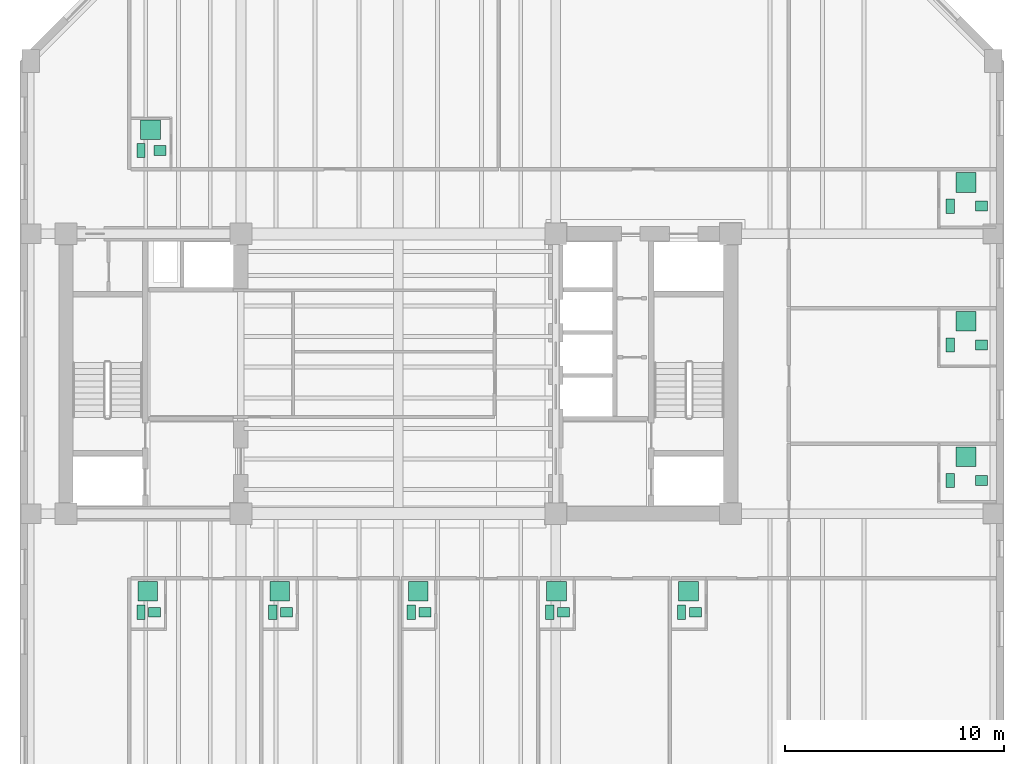
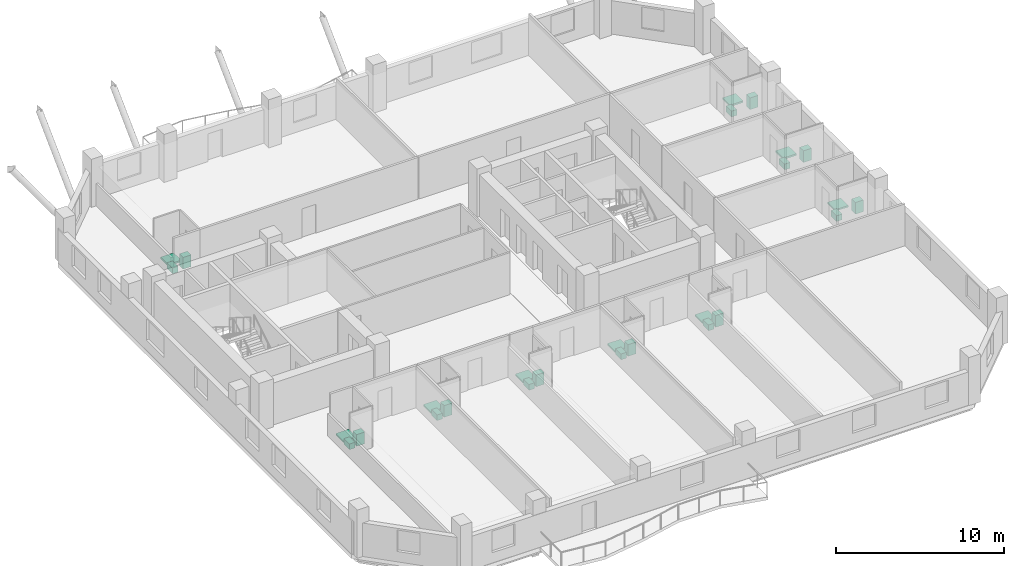
# One storey, part 12 of 12: 27 sanitary terminals.
"""IFC4 building model written with IfcOpenShell, lengths in metres."""

from ifc_helpers import new_model, si_unit, direction, frame, origin, origin_2d, place, context, subcontext, project, spatial, rectangle, extrude, material, type_object, element, save


model = new_model("IFC4")

# Units and contexts
model_context = context("Model", 3, precision=1e-05, world=origin(), true_north=direction((0.0, 1.0)))
body_context = subcontext(model_context, "Body", "Model", "MODEL_VIEW")
ifc_project = project(units=[si_unit("LENGTHUNIT", "METRE"), si_unit("AREAUNIT", "SQUARE_METRE"), si_unit("VOLUMEUNIT", "CUBIC_METRE"), si_unit("PLANEANGLEUNIT", "RADIAN"), si_unit("MASSUNIT", "GRAM", prefix="KILO")], contexts=[model_context])

# Site, building, storey
site_placement = place(None, origin())
site = spatial("IfcSite", under=ifc_project, at=site_placement, CompositionType="ELEMENT")
building_placement = place(site_placement, origin())
building = spatial("IfcBuilding", under=site, at=building_placement, Name="Kranthara Brick Stack", CompositionType="ELEMENT")
storey_placement = place(building_placement, frame((0.0, 0.0, 158.800048828125)))
storey = spatial("IfcBuildingStorey", under=building, at=storey_placement, Name="L40", CompositionType="ELEMENT", Elevation=158.800048828125)

# Sanitary terminals
ifc_material_1 = material(Name="Vitreous china sanitary porcelain", Category="other")
sanitary_terminal_type_1 = type_object("IfcSanitaryTerminalType", Name="SAN-BASIN", PredefinedType="WASHHANDBASIN", material=ifc_material_1)
for number, where, z_axis, x_axis, name in (
    (1, (16.860107421875, 16.294921875, 0.0), (0.0, 0.0, 1.0), (1.0, 0.0, 0.0), "L40 Washbasin 192"),
    (2, (22.889892578125, 16.294921875, 0.0), (0.0, 0.0, 1.0), (1.0, 0.0, 0.0), "L40 Washbasin 193"),
    (3, (29.220947265625, 16.294921875, 0.0), (0.0, 0.0, 1.0), (1.0, 0.0, 0.0), "L40 Washbasin 194"),
    (4, (35.552978515625, 16.294921875, 0.0), (0.0, 0.0, 1.0), (1.0, 0.0, 0.0), "L40 Washbasin 195"),
    (5, (41.5830078125, 16.294921875, 0.0), (0.0, 0.0, 1.0), (1.0, 0.0, 0.0), "L40 Washbasin 196"),
    (6, (17.110107421875, 37.405029296875, 0.0), (0.0, 0.0, 1.0), (1.0, 0.0, 0.0), "L40 Washbasin 197"),
    (7, (54.679931640625, 22.31494140625, 0.0), (0.0, 0.0, 1.0), (1.0, 0.0, 0.0), "L40 Washbasin 198"),
    (8, (54.679931640625, 28.514892578125, 0.0), (0.0, 0.0, 1.0), (1.0, 0.0, 0.0), "L40 Washbasin 199"),
    (9, (54.679931640625, 34.864990234375, 0.0), (0.0, 0.0, 1.0), (1.0, 0.0, 0.0), "L40 Washbasin 200"),
):
    element("IfcSanitaryTerminal", number, at=place(storey_placement, frame(where, z_axis=z_axis, x_axis=x_axis)), inside=storey, type_object=sanitary_terminal_type_1, Name=name, PredefinedType="WASHHANDBASIN", context=body_context, shape_type="SweptSolid", body=[
        extrude(rectangle(XDim=0.550048828125, YDim=0.449951171875, at=origin_2d()), origin(), (0.0, 0.0, 1.0), 0.85009765625),
    ])
ifc_material_2 = material(Name="Acrylic and porcelain shower tray", Category="other")
sanitary_terminal_type_2 = type_object("IfcSanitaryTerminalType", Name="SAN-SHOWER", PredefinedType="SHOWER", material=ifc_material_2)
for number, where, z_axis, x_axis, name in (
    (10, (16.544921875, 17.25, 0.0), (0.0, 0.0, 1.0), (1.0, 0.0, 0.0), "L40 Shower Tray 192"),
    (11, (22.574951171875, 17.25, 0.0), (0.0, 0.0, 1.0), (1.0, 0.0, 0.0), "L40 Shower Tray 193"),
    (12, (28.906005859375, 17.25, 0.0), (0.0, 0.0, 1.0), (1.0, 0.0, 0.0), "L40 Shower Tray 194"),
    (13, (35.238037109375, 17.25, 0.0), (0.0, 0.0, 1.0), (1.0, 0.0, 0.0), "L40 Shower Tray 195"),
    (14, (41.26806640625, 17.25, 0.0), (0.0, 0.0, 1.0), (1.0, 0.0, 0.0), "L40 Shower Tray 196"),
    (15, (16.669921875, 38.360107421875, 0.0), (0.0, 0.0, 1.0), (1.0, 0.0, 0.0), "L40 Shower Tray 197"),
    (16, (53.9599609375, 23.39990234375, 0.0), (0.0, 0.0, 1.0), (1.0, 0.0, 0.0), "L40 Shower Tray 198"),
    (17, (53.9599609375, 29.60009765625, 0.0), (0.0, 0.0, 1.0), (1.0, 0.0, 0.0), "L40 Shower Tray 199"),
    (18, (53.9599609375, 35.949951171875, 0.0), (0.0, 0.0, 1.0), (1.0, 0.0, 0.0), "L40 Shower Tray 200"),
):
    element("IfcSanitaryTerminal", number, at=place(storey_placement, frame(where, z_axis=z_axis, x_axis=x_axis)), inside=storey, type_object=sanitary_terminal_type_2, Name=name, PredefinedType="SHOWER", context=body_context, shape_type="SweptSolid", body=[
        extrude(rectangle(XDim=0.89990234375, YDim=0.89990234375, at=origin_2d()), origin(), (0.0, 0.0, 1.0), 0.1201171875),
    ])
ifc_material_3 = material(Name="Vitreous china sanitary porcelain", Category="other")
sanitary_terminal_type_3 = type_object("IfcSanitaryTerminalType", Name="SAN-WC-PAN", PredefinedType="TOILETPAN", material=ifc_material_3)
for number, where, z_axis, x_axis, name in (
    (19, (16.22998046875, 16.294921875, 0.0), (0.0, 0.0, 1.0), (1.0, 0.0, 0.0), "L40 WC Pan 192"),
    (20, (22.260009765625, 16.294921875, 0.0), (0.0, 0.0, 1.0), (1.0, 0.0, 0.0), "L40 WC Pan 193"),
    (21, (28.591064453125, 16.294921875, 0.0), (0.0, 0.0, 1.0), (1.0, 0.0, 0.0), "L40 WC Pan 194"),
    (22, (34.923095703125, 16.294921875, 0.0), (0.0, 0.0, 1.0), (1.0, 0.0, 0.0), "L40 WC Pan 195"),
    (23, (40.952880859375, 16.294921875, 0.0), (0.0, 0.0, 1.0), (1.0, 0.0, 0.0), "L40 WC Pan 196"),
    (24, (16.22998046875, 37.405029296875, 0.0), (0.0, 0.0, 1.0), (1.0, 0.0, 0.0), "L40 WC Pan 197"),
    (25, (53.239990234375, 22.31494140625, 0.0), (0.0, 0.0, 1.0), (1.0, 0.0, 0.0), "L40 WC Pan 198"),
    (26, (53.239990234375, 28.514892578125, 0.0), (0.0, 0.0, 1.0), (1.0, 0.0, 0.0), "L40 WC Pan 199"),
    (27, (53.239990234375, 34.864990234375, 0.0), (0.0, 0.0, 1.0), (1.0, 0.0, 0.0), "L40 WC Pan 200"),
):
    element("IfcSanitaryTerminal", number, at=place(storey_placement, frame(where, z_axis=z_axis, x_axis=x_axis)), inside=storey, type_object=sanitary_terminal_type_3, Name=name, PredefinedType="TOILETPAN", context=body_context, shape_type="SweptSolid", body=[
        extrude(rectangle(XDim=0.3798828125, YDim=0.64990234375, at=origin_2d()), origin(), (0.0, 0.0, 1.0), 0.419921875),
    ])

save(model, "model.ifc")
